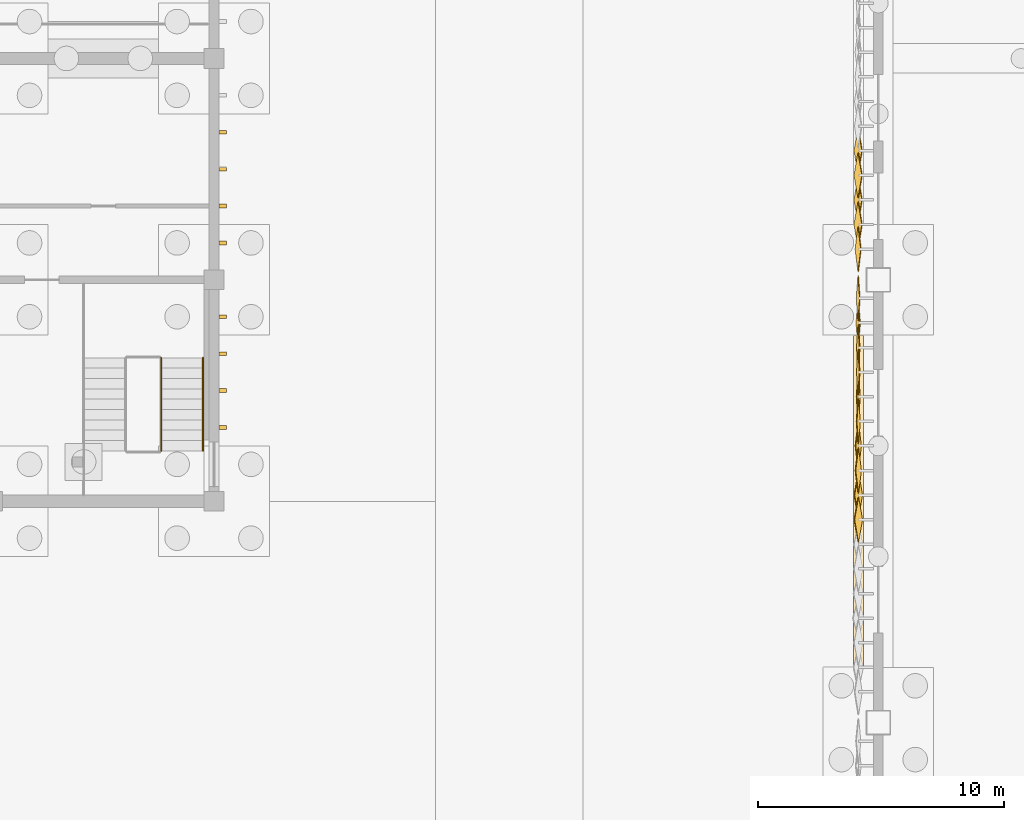
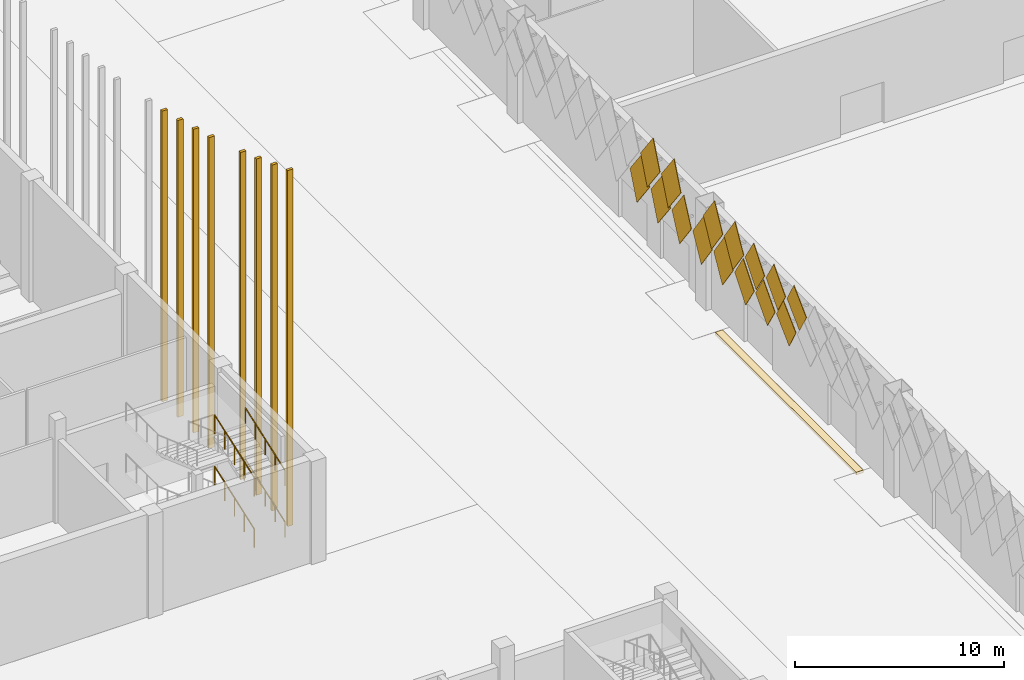
# One storey, part 153 of 198: 24 coverings, 4 railings.
"""IFC4 building model written with IfcOpenShell, lengths in metres."""

import ifcopenshell
import ifcopenshell.guid

model = None  # the IFC model being written
_history = None  # IfcOwnerHistory: only IFC2X3 demands one
_inside = {}  # id of a spatial element -> (the spatial element, [elements in it])
_under = {}  # id of a project, library or spatial element -> (it, [spatial elements below it])
_declared = {}  # id of a project -> (the project, [libraries it declares])
_typed = {}  # id of a type object -> (the type object, [elements of that type])
_made_of = {}  # id of a material, layer set ... -> (it, [elements and type objects made of it])


def new_model(schema):
    """Start an empty IFC model of exactly this schema.

    Asked for "IFC4X3", IfcOpenShell would pick the latest addendum, in which some entities
    have other attributes; the version numbers below select the first issue.
    IFC2X3 requires an IfcOwnerHistory on every rooted entity: one is made here for all.
    """
    global model, _history
    if schema == "IFC4X3":
        model = ifcopenshell.file(schema_version=(4, 3, 0, 0))
    else:
        model = ifcopenshell.file(schema=schema)
    _inside.clear()
    _under.clear()
    _declared.clear()
    _typed.clear()
    _made_of.clear()
    _history = None
    if model.schema == "IFC2X3":
        org = make("IfcOrganization", Name="unknown")
        user = make(
            "IfcPersonAndOrganization",
            ThePerson=make("IfcPerson", FamilyName="unknown"),
            TheOrganization=org,
        )
        app = make(
            "IfcApplication",
            ApplicationDeveloper=org,
            Version="unknown",
            ApplicationFullName="unknown",
            ApplicationIdentifier="unknown",
        )
        _history = make(
            "IfcOwnerHistory",
            OwningUser=user,
            OwningApplication=app,
            ChangeAction="ADDED",
            CreationDate=0,
        )
    return model


def make(cls, **values):
    """One entity of the class cls with the attributes given. An attribute that is None is left unset."""
    return model.create_entity(
        cls, **{name: value for name, value in values.items() if value is not None}
    )


def rooted(cls, **values):
    """An entity with a GlobalId (a new one), such as an element, a storey or a relation."""
    return make(cls, GlobalId=ifcopenshell.guid.new(), OwnerHistory=_history, **values)


def si_unit(unit_type, name, prefix=None):
    """IfcSIUnit, for example si_unit("LENGTHUNIT", "METRE", prefix="MILLI")."""
    return make("IfcSIUnit", UnitType=unit_type, Prefix=prefix, Name=name)


def assignment(units):
    """IfcUnitAssignment: the units of a project."""
    return None if units is None else make("IfcUnitAssignment", Units=units)


def point(xyz):
    """IfcCartesianPoint."""
    return None if xyz is None else make("IfcCartesianPoint", Coordinates=xyz)


def direction(xyz):
    """IfcDirection."""
    return None if xyz is None else make("IfcDirection", DirectionRatios=xyz)


def frame(location, z_axis=None, x_axis=None):
    """IfcAxis2Placement3D, a coordinate frame: its origin and axes. An axis left out is left unset."""
    return make(
        "IfcAxis2Placement3D",
        Location=point(location),
        Axis=direction(z_axis),
        RefDirection=direction(x_axis),
    )


def frame_2d(location, x_axis=None):
    """IfcAxis2Placement2D, a coordinate frame in the plane: its origin and x axis."""
    return make(
        "IfcAxis2Placement2D", Location=point(location), RefDirection=direction(x_axis)
    )


def origin():
    """The frame at (0, 0, 0) with its axes left unset."""
    return frame((0.0, 0.0, 0.0))


def origin_2d():
    """The frame at (0, 0) in the plane with its x axis left unset."""
    return frame_2d((0.0, 0.0))


def place(relative_to, where):
    """IfcLocalPlacement: puts the frame where relative to a parent placement (None: the world)."""
    return make(
        "IfcLocalPlacement", PlacementRelTo=relative_to, RelativePlacement=where
    )


def context(
    kind, dimensions, precision=None, world=None, true_north=None, identifier=None
):
    """IfcGeometricRepresentationContext, for example the 3D "Model" context."""
    return make(
        "IfcGeometricRepresentationContext",
        ContextIdentifier=identifier,
        ContextType=kind,
        CoordinateSpaceDimension=dimensions,
        Precision=precision,
        WorldCoordinateSystem=world,
        TrueNorth=true_north,
    )


def subcontext(parent, identifier, kind, view, scale=None):
    """IfcGeometricRepresentationSubContext, for example "Body" below "Model"."""
    return make(
        "IfcGeometricRepresentationSubContext",
        ContextIdentifier=identifier,
        ContextType=kind,
        ParentContext=parent,
        TargetScale=scale,
        TargetView=view,
    )


def project(units=None, contexts=None):
    """IfcProject with its units and contexts."""
    return rooted(
        "IfcProject",
        Name="project",
        RepresentationContexts=contexts,
        UnitsInContext=assignment(units),
    )


def spatial(cls, under=None, at=None, **own):
    """A site, building, storey or space (cls), placed at a placement, below another one or the project."""
    s = rooted(cls, ObjectPlacement=at, **own)
    if under is not None:
        _under.setdefault(under.id(), (under, []))[1].append(s)
    return s


def polyline(points):
    """IfcPolyline through the points."""
    return make("IfcPolyline", Points=[point(p) for p in points])


def profile(cls, at=None, kind="AREA", **sizes):
    """A parametric profile (cls). Its sizes go by their IFC names, for example OverallWidth=200.0."""
    return make(cls, ProfileType=kind, Position=at, **sizes)


def rectangle(**sizes):
    """IfcRectangleProfileDef."""
    return profile("IfcRectangleProfileDef", **sizes)


def circle(**sizes):
    """IfcCircleProfileDef."""
    return profile("IfcCircleProfileDef", **sizes)


def outline(outer, holes=None, kind="AREA"):
    """IfcArbitraryClosedProfileDef: a profile drawn as a closed curve; with holes, ...WithVoids."""
    if holes is None:
        return make("IfcArbitraryClosedProfileDef", ProfileType=kind, OuterCurve=outer)
    return make(
        "IfcArbitraryProfileDefWithVoids",
        ProfileType=kind,
        OuterCurve=outer,
        InnerCurves=holes,
    )


def extrude(swept, where, along, depth):
    """IfcExtrudedAreaSolid: the profile swept, set in the frame where, extruded along a direction by depth."""
    return make(
        "IfcExtrudedAreaSolid",
        SweptArea=swept,
        Position=where,
        ExtrudedDirection=direction(along),
        Depth=depth,
    )


def shape(context_of_items, identifier, shape_type, items):
    """IfcShapeRepresentation: the items that make up one representation, for example the "Body"."""
    return make(
        "IfcShapeRepresentation",
        ContextOfItems=context_of_items,
        RepresentationIdentifier=identifier,
        RepresentationType=shape_type,
        Items=items,
    )


def material(Name=None, Category=None):
    """IfcMaterial."""
    return make("IfcMaterial", Name=Name, Category=Category)


def layer(
    of_material, thickness, ventilated=None, Name=None, Category=None, Priority=None
):
    """IfcMaterialLayer: one layer of a wall or slab, of a material (None: an air gap)."""
    return make(
        "IfcMaterialLayer",
        Material=of_material,
        LayerThickness=thickness,
        IsVentilated=ventilated,
        Name=Name,
        Category=Category,
        Priority=Priority,
    )


def layer_set(layers, Name=None):
    """IfcMaterialLayerSet."""
    return make("IfcMaterialLayerSet", MaterialLayers=layers, LayerSetName=Name)


def constituent(of_material, Name=None, Category=None, fraction=None):
    """IfcMaterialConstituent: one of the materials an element consists of."""
    return make(
        "IfcMaterialConstituent",
        Name=Name,
        Material=of_material,
        Fraction=fraction,
        Category=Category,
    )


def constituent_set(constituents=None, Name=None):
    """IfcMaterialConstituentSet."""
    return make(
        "IfcMaterialConstituentSet", Name=Name, MaterialConstituents=constituents
    )


def material_profile(
    of_material, cross_section, Name=None, Category=None, Priority=None
):
    """IfcMaterialProfile: a cross section and its material."""
    return make(
        "IfcMaterialProfile",
        Name=Name,
        Material=of_material,
        Profile=cross_section,
        Priority=Priority,
        Category=Category,
    )


def profile_set(profiles, Name=None, composite=None):
    """IfcMaterialProfileSet."""
    return make(
        "IfcMaterialProfileSet",
        Name=Name,
        MaterialProfiles=profiles,
        CompositeProfile=composite,
    )


def made_of(thing, what):
    """Note that an element or type object is made of a material, layer set ...; save() writes the relation."""
    if what is not None:
        _made_of.setdefault(what.id(), (what, []))[1].append(thing)
    return thing


def type_object(cls, material=None, **own):
    """A type object (cls), such as IfcWallType, which elements share."""
    return made_of(rooted(cls, **own), material)


def element(
    cls,
    number,
    at=None,
    inside=None,
    cuts=None,
    type_object=None,
    material=None,
    context=None,
    identifier="Body",
    shape_type=None,
    held_by="IfcProductDefinitionShape",
    body=None,
    shapes=None,
    **own,
):
    """One element of the class cls, such as IfcWall. Its Tag is "e" and its number.

    at: its placement. inside: the storey or other place that contains it. cuts: it is an
    opening in that element (IfcRelVoidsElement). A single representation is given by context,
    identifier, shape_type and body (its items); several are given by shapes. held_by: the class
    of the entity that holds the representations. save() writes the other relations.
    """
    e = rooted(cls, Tag="e%d" % number, ObjectPlacement=at, **own)
    if body is not None:
        shapes = [shape(context, identifier, shape_type, body)]
    if shapes is not None:
        e.Representation = make(held_by, Representations=shapes)
    if inside is not None:
        _inside.setdefault(inside.id(), (inside, []))[1].append(e)
    if cuts is not None:
        rooted(
            "IfcRelVoidsElement", RelatingBuildingElement=cuts, RelatedOpeningElement=e
        )
    if type_object is not None:
        _typed.setdefault(type_object.id(), (type_object, []))[1].append(e)
    return made_of(e, material)


def aggregate(whole, parts):
    """IfcRelAggregates: a whole, such as a stair, and the parts it consists of."""
    return rooted("IfcRelAggregates", RelatingObject=whole, RelatedObjects=parts)


def save(model, path):
    """Write the relations noted so far, then the file.

    IfcRelAggregates (storeys below a building ...), IfcRelContainedInSpatialStructure (elements
    in a storey), IfcRelDefinesByType, IfcRelAssociatesMaterial and IfcRelDeclares: one each for
    every whole, place, type object, material and project.
    """
    for whole, parts in _under.values():
        aggregate(whole, parts)
    for where, things in _inside.values():
        rooted(
            "IfcRelContainedInSpatialStructure",
            RelatedElements=things,
            RelatingStructure=where,
        )
    for kind, things in _typed.values():
        rooted("IfcRelDefinesByType", RelatedObjects=things, RelatingType=kind)
    for what, things in _made_of.values():
        rooted("IfcRelAssociatesMaterial", RelatedObjects=things, RelatingMaterial=what)
    for by, libraries in _declared.values():
        rooted("IfcRelDeclares", RelatingContext=by, RelatedDefinitions=libraries)
    model.write(path)


model = new_model("IFC4")

# Units and contexts
model_context = context("Model", 3, precision=1e-05, world=origin(), true_north=direction((0.0, 1.0)))
body_context = subcontext(model_context, "Body", "Model", "MODEL_VIEW")
ifc_project = project(units=[si_unit("LENGTHUNIT", "METRE"), si_unit("AREAUNIT", "SQUARE_METRE"), si_unit("VOLUMEUNIT", "CUBIC_METRE"), si_unit("PLANEANGLEUNIT", "RADIAN"), si_unit("MASSUNIT", "GRAM", prefix="KILO")], contexts=[model_context])

# Site, building, storey
site_placement = place(None, origin())
site = spatial("IfcSite", under=ifc_project, at=site_placement, CompositionType="ELEMENT")
building_placement = place(site_placement, origin())
building = spatial("IfcBuilding", under=site, at=building_placement, Name="Opaline Strait Convention Centre", CompositionType="ELEMENT")
storey_placement = place(building_placement, origin())
storey = spatial("IfcBuildingStorey", under=building, at=storey_placement, Name="L00", CompositionType="ELEMENT", Elevation=0.0)

# Coverings
ifc_material_1 = material(Name="White ceramic-faced aluminium tile", Category="aluminium")
ifc_material_profile_1 = material_profile(ifc_material_1, outline(polyline([(0.927978515625, 0.0), (0.0, 1.39208984375), (-0.927978515625, 0.0), (0.0, -1.39208984375), (0.927978515625, 0.0)])), Name="Diamond tile 1856x2784")
ifc_profile_set_1 = profile_set([ifc_material_profile_1], Name="White ceramic-faced aluminium tile")
covering_type_1 = type_object("IfcCoveringType", Name="Diamond wall tile 1856x2784x30 pivot 2.5 deg", PredefinedType="CLADDING", material=ifc_profile_set_1)
for number, where, z_axis, x_axis, name in (
    (1, (98.199951171875, 123.25, 4.39208984375), (-0.999174794796, 0.0, 0.040616861577), (0.0, -1.0, 0.0), "Wall tile XT05 W"),
    (2, (98.199951171875, 121.25, 4.39208984375), (-0.998812351125, 0.0, -0.048722553713), (0.0, -1.0, 0.0), "Wall tile XT05 W"),
    (3, (98.199951171875, 122.25, 5.89208984375), (-0.999174794796, 0.0, 0.040616861577), (0.0, -1.0, 0.0), "Wall tile XT05 W"),
    (4, (98.199951171875, 120.25, 5.89208984375), (-0.998812351125, 0.0, -0.048722553713), (0.0, -1.0, 0.0), "Wall tile XT05 W"),
):
    element("IfcCovering", number, at=place(storey_placement, frame(where, z_axis=z_axis, x_axis=x_axis)), inside=storey, type_object=covering_type_1, Name=name, PredefinedType="CLADDING", context=body_context, shape_type="SweptSolid", body=[
        extrude(outline(polyline([(0.927978515625, 0.0), (0.0, 1.39208984375), (-0.927978515625, 0.0), (0.0, -1.39208984375), (0.927978515625, 0.0)])), origin(), (0.0, 0.0, 1.0), 0.030029296875),
    ])
ifc_material_profile_2 = material_profile(ifc_material_1, outline(polyline([(0.927978515625, 0.0), (0.0, 1.39208984375), (-0.927978515625, 0.0), (0.0, -1.39208984375), (0.927978515625, 0.0)])), Name="Diamond tile 1856x2784")
ifc_profile_set_2 = profile_set([ifc_material_profile_2], Name="White ceramic-faced aluminium tile")
covering_type_2 = type_object("IfcCoveringType", Name="Diamond wall tile 1856x2784x30 pivot 3 deg", PredefinedType="CLADDING", material=ifc_profile_set_2)
covering_1_placement = place(storey_placement, frame((98.199951171875, 125.25, 4.39208984375), z_axis=(-0.998812351125, 0.0, 0.048722553713), x_axis=(0.0, -1.0, 0.0)))
element("IfcCovering", 5, at=covering_1_placement, inside=storey, type_object=covering_type_2, Name="Wall tile XT06 W", PredefinedType="CLADDING", context=body_context, shape_type="SweptSolid", body=[
    extrude(outline(polyline([(0.927978515625, 0.0), (0.0, 1.39208984375), (-0.927978515625, 0.0), (0.0, -1.39208984375), (0.927978515625, 0.0)])), origin(), (0.0, 0.0, 1.0), 0.030029296875),
])
ifc_material_profile_3 = material_profile(ifc_material_1, outline(polyline([(0.927978515625, 0.0), (0.0, 1.39208984375), (-0.927978515625, 0.0), (0.0, -1.39208984375), (0.927978515625, 0.0)])), Name="Diamond tile 1856x2784")
ifc_profile_set_3 = profile_set([ifc_material_profile_3], Name="White ceramic-faced aluminium tile")
covering_type_3 = type_object("IfcCoveringType", Name="Diamond wall tile 1856x2784x30 pivot 3.5 deg", PredefinedType="CLADDING", material=ifc_profile_set_3)
covering_2_placement = place(storey_placement, frame((98.199951171875, 124.25, 5.89208984375), z_axis=(-0.99835799028, 0.0, 0.057282835508), x_axis=(0.0, -1.0, 0.0)))
element("IfcCovering", 6, at=covering_2_placement, inside=storey, type_object=covering_type_3, Name="Wall tile XT07 W", PredefinedType="CLADDING", context=body_context, shape_type="SweptSolid", body=[
    extrude(outline(polyline([(0.927978515625, 0.0), (0.0, 1.39208984375), (-0.927978515625, 0.0), (0.0, -1.39208984375), (0.927978515625, 0.0)])), origin(), (0.0, 0.0, 1.0), 0.02978515625),
])
ifc_material_profile_4 = material_profile(ifc_material_1, outline(polyline([(0.927978515625, 0.0), (0.0, 1.39208984375), (-0.927978515625, 0.0), (0.0, -1.39208984375), (0.927978515625, 0.0)])), Name="Diamond tile 1856x2784")
ifc_profile_set_4 = profile_set([ifc_material_profile_4], Name="White ceramic-faced aluminium tile")
covering_type_4 = type_object("IfcCoveringType", Name="Diamond wall tile 1856x2784x30 pivot 4.5 deg", PredefinedType="CLADDING", material=ifc_profile_set_4)
for number, where, z_axis, x_axis, name in (
    (7, (98.199951171875, 119.25, 4.39208984375), (-0.996657521232, 0.0, -0.081693239445), (0.0, -1.0, 0.0), "Wall tile XT09 W"),
    (8, (98.199951171875, 118.25, 5.89208984375), (-0.996657521232, 0.0, -0.081693239445), (0.0, -1.0, 0.0), "Wall tile XT09 W"),
):
    element("IfcCovering", number, at=place(storey_placement, frame(where, z_axis=z_axis, x_axis=x_axis)), inside=storey, type_object=covering_type_4, Name=name, PredefinedType="CLADDING", context=body_context, shape_type="SweptSolid", body=[
        extrude(outline(polyline([(0.927978515625, 0.0), (0.0, 1.39208984375), (-0.927978515625, 0.0), (0.0, -1.39208984375), (0.927978515625, 0.0)])), origin(), (0.0, 0.0, 1.0), 0.02978515625),
    ])
ifc_material_profile_5 = material_profile(ifc_material_1, outline(polyline([(0.927978515625, 0.0), (0.0, 1.39208984375), (-0.927978515625, 0.0), (0.0, -1.39208984375), (0.927978515625, 0.0)])), Name="Diamond tile 1856x2784")
ifc_profile_set_5 = profile_set([ifc_material_profile_5], Name="White ceramic-faced aluminium tile")
covering_type_5 = type_object("IfcCoveringType", Name="Diamond wall tile 1856x2784x30 pivot 5 deg", PredefinedType="CLADDING", material=ifc_profile_set_5)
covering_3_placement = place(storey_placement, frame((98.199951171875, 127.25, 4.39208984375), z_axis=(-0.996657521232, 0.0, 0.081693239445), x_axis=(0.0, -1.0, 0.0)))
element("IfcCovering", 9, at=covering_3_placement, inside=storey, type_object=covering_type_5, Name="Wall tile XT10 W", PredefinedType="CLADDING", context=body_context, shape_type="SweptSolid", body=[
    extrude(outline(polyline([(0.927978515625, 0.0), (0.0, 1.39208984375), (-0.927978515625, 0.0), (0.0, -1.39208984375), (0.927978515625, 0.0)])), origin(), (0.0, 0.0, 1.0), 0.02978515625),
])
ifc_material_profile_6 = material_profile(ifc_material_1, outline(polyline([(0.927978515625, 0.0), (0.0, 1.39208984375), (-0.927978515625, 0.0), (0.0, -1.39208984375), (0.927978515625, 0.0)])), Name="Diamond tile 1856x2784")
ifc_profile_set_6 = profile_set([ifc_material_profile_6], Name="White ceramic-faced aluminium tile")
covering_type_6 = type_object("IfcCoveringType", Name="Diamond wall tile 1856x2784x30 pivot 6.5 deg", PredefinedType="CLADDING", material=ifc_profile_set_6)
for number, where, z_axis, x_axis, name in (
    (10, (98.199951171875, 131.25, 4.39208984375), (-0.993480071526, 0.0, 0.114005909847), (0.0, -1.0, 0.0), "Wall tile XT13 W"),
    (11, (98.199951171875, 129.25, 4.39208984375), (-0.993480071526, 0.0, 0.114005909847), (0.0, -1.0, 0.0), "Wall tile XT13 W"),
    (12, (98.199951171875, 117.25, 4.39208984375), (-0.993480071526, 0.0, -0.114005909847), (0.0, -1.0, 0.0), "Wall tile XT13 W"),
    (13, (98.199951171875, 130.25, 5.89208984375), (-0.993480071526, 0.0, 0.114005909847), (0.0, -1.0, 0.0), "Wall tile XT13 W"),
    (14, (98.199951171875, 128.25, 5.89208984375), (-0.993480071526, 0.0, 0.114005909847), (0.0, -1.0, 0.0), "Wall tile XT13 W"),
    (15, (98.199951171875, 116.25, 5.89208984375), (-0.993480071526, 0.0, -0.114005909847), (0.0, -1.0, 0.0), "Wall tile XT13 W"),
):
    element("IfcCovering", number, at=place(storey_placement, frame(where, z_axis=z_axis, x_axis=x_axis)), inside=storey, type_object=covering_type_6, Name=name, PredefinedType="CLADDING", context=body_context, shape_type="SweptSolid", body=[
        extrude(outline(polyline([(0.927978515625, 0.0), (0.0, 1.39208984375), (-0.927978515625, 0.0), (0.0, -1.39208984375), (0.927978515625, 0.0)])), origin(), (0.0, 0.0, 1.0), 0.030029296875),
    ])
ifc_material_2 = material(Name="Glass fibre reinforced concrete, white", Category="concrete")
ifc_layer_1 = layer(ifc_material_2, 0.300048828125)
ifc_layer_set_1 = layer_set([ifc_layer_1], Name="Glass fibre reinforced concrete, white")
covering_type_7 = type_object("IfcCoveringType", Name="GRC rib 150 x 300", PredefinedType="CLADDING", material=ifc_layer_set_1)
covering_4_placement = place(storey_placement, frame((72.35009765625, 120.0, 0.0), z_axis=(0.0, 0.0, 1.0), x_axis=(1.0, 0.0, 0.0)))
element("IfcCovering", 16, at=covering_4_placement, inside=storey, type_object=covering_type_7, Name="PX1 rib east 2", PredefinedType="CLADDING", context=body_context, shape_type="SweptSolid", body=[
    extrude(rectangle(XDim=0.300048828125, YDim=0.14990234375, at=origin_2d()), origin(), (0.0, 0.0, 1.0), 20.770263671875),
])
covering_5_placement = place(storey_placement, frame((72.35009765625, 121.5, 0.0), z_axis=(0.0, 0.0, 1.0), x_axis=(1.0, 0.0, 0.0)))
element("IfcCovering", 17, at=covering_5_placement, inside=storey, type_object=covering_type_7, Name="PX1 rib east 3", PredefinedType="CLADDING", context=body_context, shape_type="SweptSolid", body=[
    extrude(rectangle(XDim=0.300048828125, YDim=0.14990234375, at=origin_2d()), origin(), (0.0, 0.0, 1.0), 20.182861328125),
])
covering_6_placement = place(storey_placement, frame((72.35009765625, 123.0, 0.0), z_axis=(0.0, 0.0, 1.0), x_axis=(1.0, 0.0, 0.0)))
element("IfcCovering", 18, at=covering_6_placement, inside=storey, type_object=covering_type_7, Name="PX1 rib east 4", PredefinedType="CLADDING", context=body_context, shape_type="SweptSolid", body=[
    extrude(rectangle(XDim=0.300048828125, YDim=0.14990234375, at=origin_2d()), origin(), (0.0, 0.0, 1.0), 19.627197265625),
])
covering_7_placement = place(storey_placement, frame((72.35009765625, 124.5, 0.0), z_axis=(0.0, 0.0, 1.0), x_axis=(1.0, 0.0, 0.0)))
element("IfcCovering", 19, at=covering_7_placement, inside=storey, type_object=covering_type_7, Name="PX1 rib east 5", PredefinedType="CLADDING", context=body_context, shape_type="SweptSolid", body=[
    extrude(rectangle(XDim=0.300048828125, YDim=0.14990234375, at=origin_2d()), origin(), (0.0, 0.0, 1.0), 19.103515625),
])
covering_8_placement = place(storey_placement, frame((72.35009765625, 127.5, 0.0), z_axis=(0.0, 0.0, 1.0), x_axis=(1.0, 0.0, 0.0)))
element("IfcCovering", 20, at=covering_8_placement, inside=storey, type_object=covering_type_7, Name="PX1 rib east 7", PredefinedType="CLADDING", context=body_context, shape_type="SweptSolid", body=[
    extrude(rectangle(XDim=0.300048828125, YDim=0.14990234375, at=origin_2d()), origin(), (0.0, 0.0, 1.0), 18.151123046875),
])
covering_9_placement = place(storey_placement, frame((72.35009765625, 129.0, 0.0), z_axis=(0.0, 0.0, 1.0), x_axis=(1.0, 0.0, 0.0)))
element("IfcCovering", 21, at=covering_9_placement, inside=storey, type_object=covering_type_7, Name="PX1 rib east 8", PredefinedType="CLADDING", context=body_context, shape_type="SweptSolid", body=[
    extrude(rectangle(XDim=0.300048828125, YDim=0.14990234375, at=origin_2d()), origin(), (0.0, 0.0, 1.0), 17.722412109375),
])
covering_10_placement = place(storey_placement, frame((72.35009765625, 130.5, 0.0), z_axis=(0.0, 0.0, 1.0), x_axis=(1.0, 0.0, 0.0)))
element("IfcCovering", 22, at=covering_10_placement, inside=storey, type_object=covering_type_7, Name="PX1 rib east 9", PredefinedType="CLADDING", context=body_context, shape_type="SweptSolid", body=[
    extrude(rectangle(XDim=0.300048828125, YDim=0.14990234375, at=origin_2d()), origin(), (0.0, 0.0, 1.0), 17.32568359375),
])
covering_11_placement = place(storey_placement, frame((72.35009765625, 132.0, 0.0), z_axis=(0.0, 0.0, 1.0), x_axis=(1.0, 0.0, 0.0)))
element("IfcCovering", 23, at=covering_11_placement, inside=storey, type_object=covering_type_7, Name="PX1 rib east 10", PredefinedType="CLADDING", context=body_context, shape_type="SweptSolid", body=[
    extrude(rectangle(XDim=0.300048828125, YDim=0.14990234375, at=origin_2d()), origin(), (0.0, 0.0, 1.0), 16.960693359375),
])

# Railings
ifc_material_3 = material(Name="Steel Q355B", Category="steel")
ifc_constituent_1 = constituent(ifc_material_3, Name="Frame")
ifc_material_4 = material(Name="Safety glass, bonded interlayer", Category="glass")
ifc_constituent_2 = constituent(ifc_material_4, Name="Infill")
ifc_constituent_set = constituent_set(constituents=[ifc_constituent_1, ifc_constituent_2], Name="Steel Q355B, Safety glass, bonded interlayer")
railing_type_1 = type_object("IfcRailingType", Name="Seating guard 1100 steel and glass", PredefinedType="GUARDRAIL", material=ifc_constituent_set)
for number, where, name in (
    (24, (69.85009765625, 119.050048828125, 0.14990234375), "L00 PSR2 stair guard 1"),
    (25, (69.85009765625, 119.050048828125, 3.14990234375), "L00 PSR2 stair guard 7"),
):
    element("IfcRailing", number, at=place(storey_placement, frame(where)), inside=storey, type_object=railing_type_1, Name=name, PredefinedType="GUARDRAIL", context=body_context, shape_type="SweptSolid", body=[
        extrude(circle(Radius=0.02392578125, at=origin_2d()), frame((0.0, 0.0, 1.076171875), z_axis=(0.0, 0.941735030876, 0.336355662388), x_axis=(-1.0, 0.0, 0.0)), (0.0, 0.0, 1.0), 4.013916015625),
        extrude(circle(Radius=0.02099609375, at=origin_2d()), origin(), (0.0, 0.0, 1.0), 1.052001953125),
        extrude(circle(Radius=0.02099609375, at=origin_2d()), frame((0.0, 0.945068359375, 0.33740234375)), (0.0, 0.0, 1.0), 1.052001953125),
        extrude(circle(Radius=0.02099609375, at=origin_2d()), frame((0.0, 1.89013671875, 0.675048828125)), (0.0, 0.0, 1.0), 1.052001953125),
        extrude(circle(Radius=0.02099609375, at=origin_2d()), frame((0.0, 2.8349609375, 1.0126953125)), (0.0, 0.0, 1.0), 1.052001953125),
        extrude(circle(Radius=0.02099609375, at=origin_2d()), frame((0.0, 3.780029296875, 1.35009765625)), (0.0, 0.0, 1.0), 1.052001953125),
    ])

# Covering
ifc_material_5 = material(Name="Concrete C30 exposed aggregate", Category="concrete")
ifc_layer_2 = layer(ifc_material_5, 0.14990234375)
ifc_layer_set_2 = layer_set([ifc_layer_2], Name="Concrete C30 exposed aggregate")
covering_type_8 = type_object("IfcCoveringType", Name="Site paving 150", PredefinedType="FLOORING", material=ifc_layer_set_2)
covering_12_placement = place(storey_placement, frame((0.0, 0.0, -0.14990234375)))
element("IfcCovering", 26, at=covering_12_placement, inside=storey, type_object=covering_type_8, Name="Site paving surfacing", PredefinedType="FLOORING", context=body_context, shape_type="SweptSolid", body=[
    extrude(outline(polyline([(98.39501953125, 123.7451171875), (98.0, 123.7451171875), (98.0, 110.2548828125), (98.39501953125, 110.2548828125), (98.39501953125, 123.7451171875)])), origin(), (0.0, 0.0, 1.0), 0.14990234375),
])

# Railings
ifc_material_6 = material(Name="Stainless steel 304", Category="steel")
railing_type_2 = type_object("IfcRailingType", Name="Stair handrail 900", PredefinedType="HANDRAIL", material=ifc_material_6)
for number, where, name in (
    (27, (71.550048828125, 119.050048828125, 0.14990234375), "L00 PSR2 stair handrail 1"),
    (28, (71.550048828125, 119.050048828125, 3.14990234375), "L00 PSR2 stair handrail 3"),
):
    element("IfcRailing", number, at=place(storey_placement, frame(where)), inside=storey, type_object=railing_type_2, Name=name, PredefinedType="HANDRAIL", context=body_context, shape_type="SweptSolid", body=[
        extrude(circle(Radius=0.02392578125, at=origin_2d()), frame((0.0, 0.0, 0.8759765625), z_axis=(0.0, 0.941735030876, 0.336355662388), x_axis=(-1.0, 0.0, 0.0)), (0.0, 0.0, 1.0), 4.013916015625),
        extrude(circle(Radius=0.02099609375, at=origin_2d()), origin(), (0.0, 0.0, 1.0), 0.851806640625),
        extrude(circle(Radius=0.02099609375, at=origin_2d()), frame((0.0, 0.945068359375, 0.33740234375)), (0.0, 0.0, 1.0), 0.851806640625),
        extrude(circle(Radius=0.02099609375, at=origin_2d()), frame((0.0, 1.89013671875, 0.675048828125)), (0.0, 0.0, 1.0), 0.851806640625),
        extrude(circle(Radius=0.02099609375, at=origin_2d()), frame((0.0, 2.8349609375, 1.0126953125)), (0.0, 0.0, 1.0), 0.851806640625),
        extrude(circle(Radius=0.02099609375, at=origin_2d()), frame((0.0, 3.780029296875, 1.35009765625)), (0.0, 0.0, 1.0), 0.851806640625),
    ])

save(model, "model.ifc")
